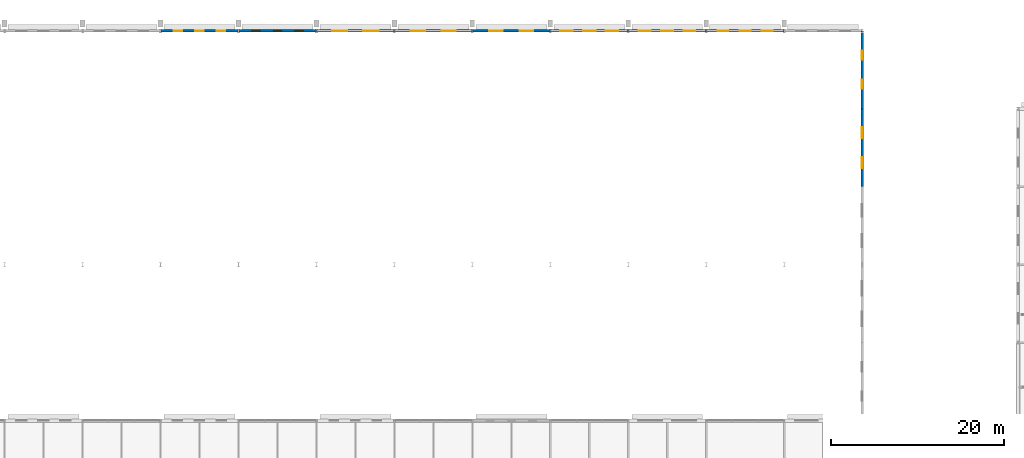
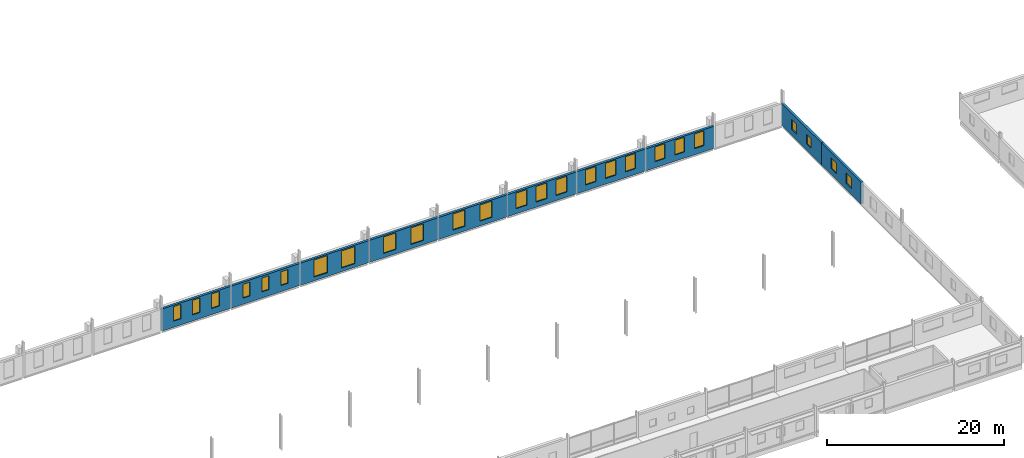
# One storey, part 116 of 132: 25 windows, 10 walls, 25 openings.
"""IFC4 building model written with IfcOpenShell, lengths in metres."""

from ifc_helpers import new_model, si_unit, direction, frame, frame_2d, origin, place, context, subcontext, project, spatial, rectangle, extrude, material, layer, layer_set, type_object, element, fill, save


model = new_model("IFC4")

# Units and contexts
model_context = context("Model", 3, precision=1e-05, world=origin(), true_north=direction((0.0, 1.0)))
body_context = subcontext(model_context, "Body", "Model", "MODEL_VIEW")
ifc_project = project(units=[si_unit("LENGTHUNIT", "METRE"), si_unit("AREAUNIT", "SQUARE_METRE"), si_unit("VOLUMEUNIT", "CUBIC_METRE"), si_unit("PLANEANGLEUNIT", "RADIAN"), si_unit("MASSUNIT", "GRAM", prefix="KILO")], contexts=[model_context])

# Site, building, storey
site_placement = place(None, origin())
site = spatial("IfcSite", under=ifc_project, at=site_placement, CompositionType="ELEMENT")
building_placement = place(site_placement, origin())
building = spatial("IfcBuilding", under=site, at=building_placement, Name="Tharagai Park Tramway Depot", CompositionType="ELEMENT")
storey_placement = place(building_placement, frame((0.0, 0.0, 4.800048828125)))
storey = spatial("IfcBuildingStorey", under=building, at=storey_placement, Name="L01", CompositionType="ELEMENT", Elevation=4.800048828125)

# Wall, openings, windows
ifc_material_1 = material(Name="Pressed clay brick", Category="masonry")
ifc_layer = layer(ifc_material_1, 0.300048828125)
ifc_layer_set = layer_set([ifc_layer], Name="Pressed clay brick")
wall_type = type_object("IfcWallType", Name="EW-08", PredefinedType="SOLIDWALL", material=ifc_layer_set)
wall_1_placement = place(storey_placement, frame((63.00390625, 144.0, 0.0), z_axis=(0.0, 0.0, 1.0), x_axis=(1.0, 0.0, 0.0)))
wall_1 = element("IfcWall", 1, at=wall_1_placement, inside=storey, type_object=wall_type, Name="L01 V1 Exterior Masonry Wall EW-08", PredefinedType="SOLIDWALL", context=body_context, shape_type="SweptSolid", body=[
    extrude(rectangle(XDim=8.9921875, YDim=0.300048828125, at=frame_2d((4.49609375, 0.0))), origin(), (0.0, 0.0, 1.0), 3.0419921875),
])
opening_1_placement = place(wall_1_placement, frame((1.498046875, 0.0, 0.85009765625)))
opening_1 = element("IfcOpeningElement", 2, at=opening_1_placement, cuts=wall_1, Name="Opening WN-04", PredefinedType="OPENING", context=body_context, shape_type="SweptSolid", body=[
    extrude(rectangle(XDim=1.0, YDim=2.0, at=frame_2d((0.5, 1.0))), frame((0.0, 0.159912109375, 0.0), z_axis=(0.0, -1.0, 0.0), x_axis=(1.0, 0.0, 0.0)), (0.0, 0.0, 1.0), 0.320068359375),
])
opening_2_placement = place(wall_1_placement, frame((3.99609375, 0.0, 0.85009765625)))
opening_2 = element("IfcOpeningElement", 3, at=opening_2_placement, cuts=wall_1, Name="Opening WN-04", PredefinedType="OPENING", context=body_context, shape_type="SweptSolid", body=[
    extrude(rectangle(XDim=1.0, YDim=2.0, at=frame_2d((0.5, 1.0))), frame((0.0, 0.159912109375, 0.0), z_axis=(0.0, -1.0, 0.0), x_axis=(1.0, 0.0, 0.0)), (0.0, 0.0, 1.0), 0.320068359375),
])
opening_3_placement = place(wall_1_placement, frame((6.493896484375, 0.0, 0.85009765625)))
opening_3 = element("IfcOpeningElement", 4, at=opening_3_placement, cuts=wall_1, Name="Opening WN-04", PredefinedType="OPENING", context=body_context, shape_type="SweptSolid", body=[
    extrude(rectangle(XDim=1.0, YDim=2.0, at=frame_2d((0.5, 1.0))), frame((0.0, 0.159912109375, 0.0), z_axis=(0.0, -1.0, 0.0), x_axis=(1.0, 0.0, 0.0)), (0.0, 0.0, 1.0), 0.320068359375),
])
ifc_material_2 = material(Name="Laminated solar-control glass", Category="glass")
window_type_1 = type_object("IfcWindowType", Name="WN-04", PartitioningType="SINGLE_PANEL", PredefinedType="WINDOW", material=ifc_material_2)
window_1_placement = place(opening_1_placement, origin())
window_1 = element("IfcWindow", 5, at=window_1_placement, inside=storey, type_object=window_type_1, Name="L01 V1 Gothic Lancet Window WN-04", OverallHeight=2.0, OverallWidth=1.0, PartitioningType="SINGLE_PANEL", PredefinedType="WINDOW", context=body_context, shape_type="SweptSolid", body=[
    extrude(rectangle(XDim=1.0, YDim=2.0, at=frame_2d((0.5, 1.0))), frame((0.0, 0.030029296875, 0.0), z_axis=(0.0, -1.0, 0.0), x_axis=(1.0, 0.0, 0.0)), (0.0, 0.0, 1.0), 0.06005859375),
])
fill(opening_1, window_1)
window_2_placement = place(opening_2_placement, origin())
window_2 = element("IfcWindow", 6, at=window_2_placement, inside=storey, type_object=window_type_1, Name="L01 V1 Gothic Lancet Window WN-04", OverallHeight=2.0, OverallWidth=1.0, PartitioningType="SINGLE_PANEL", PredefinedType="WINDOW", context=body_context, shape_type="SweptSolid", body=[
    extrude(rectangle(XDim=1.0, YDim=2.0, at=frame_2d((0.5, 1.0))), frame((0.0, 0.030029296875, 0.0), z_axis=(0.0, -1.0, 0.0), x_axis=(1.0, 0.0, 0.0)), (0.0, 0.0, 1.0), 0.06005859375),
])
fill(opening_2, window_2)
window_3_placement = place(opening_3_placement, origin())
window_3 = element("IfcWindow", 7, at=window_3_placement, inside=storey, type_object=window_type_1, Name="L01 V1 Gothic Lancet Window WN-04", OverallHeight=2.0, OverallWidth=1.0, PartitioningType="SINGLE_PANEL", PredefinedType="WINDOW", context=body_context, shape_type="SweptSolid", body=[
    extrude(rectangle(XDim=1.0, YDim=2.0, at=frame_2d((0.5, 1.0))), frame((0.0, 0.030029296875, 0.0), z_axis=(0.0, -1.0, 0.0), x_axis=(1.0, 0.0, 0.0)), (0.0, 0.0, 1.0), 0.06005859375),
])
fill(opening_3, window_3)

wall_2_placement = place(storey_placement, frame((72.00390625, 144.0, 0.0), z_axis=(0.0, 0.0, 1.0), x_axis=(1.0, 0.0, 0.0)))
wall_2 = element("IfcWall", 8, at=wall_2_placement, inside=storey, type_object=wall_type, Name="L01 V1 Exterior Masonry Wall EW-08", PredefinedType="SOLIDWALL", context=body_context, shape_type="SweptSolid", body=[
    extrude(rectangle(XDim=8.9921875, YDim=0.300048828125, at=frame_2d((4.49609375, 0.0))), origin(), (0.0, 0.0, 1.0), 3.0419921875),
])
opening_4_placement = place(wall_2_placement, frame((1.572998046875, 0.0, 0.85009765625)))
opening_4 = element("IfcOpeningElement", 9, at=opening_4_placement, cuts=wall_2, Name="Opening WN-08", PredefinedType="OPENING", context=body_context, shape_type="SweptSolid", body=[
    extrude(rectangle(XDim=0.89990234375, YDim=1.89990234375, at=frame_2d((0.449951171875, 0.949951171875))), frame((0.0, 0.159912109375, 0.0), z_axis=(0.0, -1.0, 0.0), x_axis=(1.0, 0.0, 0.0)), (0.0, 0.0, 1.0), 0.320068359375),
])
opening_5_placement = place(wall_2_placement, frame((4.0458984375, 0.0, 0.85009765625)))
opening_5 = element("IfcOpeningElement", 10, at=opening_5_placement, cuts=wall_2, Name="Opening WN-08", PredefinedType="OPENING", context=body_context, shape_type="SweptSolid", body=[
    extrude(rectangle(XDim=0.89990234375, YDim=1.89990234375, at=frame_2d((0.449951171875, 0.949951171875))), frame((0.0, 0.159912109375, 0.0), z_axis=(0.0, -1.0, 0.0), x_axis=(1.0, 0.0, 0.0)), (0.0, 0.0, 1.0), 0.320068359375),
])
opening_6_placement = place(wall_2_placement, frame((6.51904296875, 0.0, 0.85009765625)))
opening_6 = element("IfcOpeningElement", 11, at=opening_6_placement, cuts=wall_2, Name="Opening WN-08", PredefinedType="OPENING", context=body_context, shape_type="SweptSolid", body=[
    extrude(rectangle(XDim=0.89990234375, YDim=1.89990234375, at=frame_2d((0.449951171875, 0.949951171875))), frame((0.0, 0.159912109375, 0.0), z_axis=(0.0, -1.0, 0.0), x_axis=(1.0, 0.0, 0.0)), (0.0, 0.0, 1.0), 0.320068359375),
])
window_type_2 = type_object("IfcWindowType", Name="WN-08", PartitioningType="SINGLE_PANEL", PredefinedType="WINDOW", material=ifc_material_2)
window_4_placement = place(opening_4_placement, origin())
window_4 = element("IfcWindow", 12, at=window_4_placement, inside=storey, type_object=window_type_2, Name="L01 V1 Gothic Lancet Window WN-08", OverallHeight=1.89990234375, OverallWidth=0.89990234375, PartitioningType="SINGLE_PANEL", PredefinedType="WINDOW", context=body_context, shape_type="SweptSolid", body=[
    extrude(rectangle(XDim=0.89990234375, YDim=1.89990234375, at=frame_2d((0.449951171875, 0.949951171875))), frame((0.0, 0.030029296875, 0.0), z_axis=(0.0, -1.0, 0.0), x_axis=(1.0, 0.0, 0.0)), (0.0, 0.0, 1.0), 0.06005859375),
])
fill(opening_4, window_4)
window_5_placement = place(opening_5_placement, origin())
window_5 = element("IfcWindow", 13, at=window_5_placement, inside=storey, type_object=window_type_2, Name="L01 V1 Gothic Lancet Window WN-08", OverallHeight=1.89990234375, OverallWidth=0.89990234375, PartitioningType="SINGLE_PANEL", PredefinedType="WINDOW", context=body_context, shape_type="SweptSolid", body=[
    extrude(rectangle(XDim=0.89990234375, YDim=1.89990234375, at=frame_2d((0.449951171875, 0.949951171875))), frame((0.0, 0.030029296875, 0.0), z_axis=(0.0, -1.0, 0.0), x_axis=(1.0, 0.0, 0.0)), (0.0, 0.0, 1.0), 0.06005859375),
])
fill(opening_5, window_5)
window_6_placement = place(opening_6_placement, origin())
window_6 = element("IfcWindow", 14, at=window_6_placement, inside=storey, type_object=window_type_2, Name="L01 V1 Gothic Lancet Window WN-08", OverallHeight=1.89990234375, OverallWidth=0.89990234375, PartitioningType="SINGLE_PANEL", PredefinedType="WINDOW", context=body_context, shape_type="SweptSolid", body=[
    extrude(rectangle(XDim=0.89990234375, YDim=1.89990234375, at=frame_2d((0.449951171875, 0.949951171875))), frame((0.0, 0.030029296875, 0.0), z_axis=(0.0, -1.0, 0.0), x_axis=(1.0, 0.0, 0.0)), (0.0, 0.0, 1.0), 0.06005859375),
])
fill(opening_6, window_6)

wall_3_placement = place(storey_placement, frame((81.00390625, 144.0, 0.0), z_axis=(0.0, 0.0, 1.0), x_axis=(1.0, 0.0, 0.0)))
wall_3 = element("IfcWall", 15, at=wall_3_placement, inside=storey, type_object=wall_type, Name="L01 V1 Exterior Masonry Wall EW-08", PredefinedType="SOLIDWALL", context=body_context, shape_type="SweptSolid", body=[
    extrude(rectangle(XDim=8.9921875, YDim=0.300048828125, at=frame_2d((4.49609375, 0.0))), origin(), (0.0, 0.0, 1.0), 3.0419921875),
])
opening_7_placement = place(wall_3_placement, frame((1.8310546875, 0.0, 0.510009765625)))
opening_7 = element("IfcOpeningElement", 16, at=opening_7_placement, cuts=wall_3, Name="Opening WN-23", PredefinedType="OPENING", context=body_context, shape_type="SweptSolid", body=[
    extrude(rectangle(XDim=1.75, YDim=2.35009765625, at=frame_2d((0.875, 1.175048828125))), frame((0.0, 0.159912109375, 0.0), z_axis=(0.0, -1.0, 0.0), x_axis=(1.0, 0.0, 0.0)), (0.0, 0.0, 1.0), 0.320068359375),
])
opening_8_placement = place(wall_3_placement, frame((5.410888671875, 0.0, 0.510009765625)))
opening_8 = element("IfcOpeningElement", 17, at=opening_8_placement, cuts=wall_3, Name="Opening WN-23", PredefinedType="OPENING", context=body_context, shape_type="SweptSolid", body=[
    extrude(rectangle(XDim=1.75, YDim=2.35009765625, at=frame_2d((0.875, 1.175048828125))), frame((0.0, 0.159912109375, 0.0), z_axis=(0.0, -1.0, 0.0), x_axis=(1.0, 0.0, 0.0)), (0.0, 0.0, 1.0), 0.320068359375),
])
window_type_3 = type_object("IfcWindowType", Name="WN-23", PartitioningType="SINGLE_PANEL", PredefinedType="WINDOW", material=ifc_material_2)
window_7_placement = place(opening_7_placement, origin())
window_7 = element("IfcWindow", 18, at=window_7_placement, inside=storey, type_object=window_type_3, Name="L01 V1 Gothic Lancet Window WN-23", OverallHeight=2.35009765625, OverallWidth=1.75, PartitioningType="SINGLE_PANEL", PredefinedType="WINDOW", context=body_context, shape_type="SweptSolid", body=[
    extrude(rectangle(XDim=1.75, YDim=2.35009765625, at=frame_2d((0.875, 1.175048828125))), frame((0.0, 0.030029296875, 0.0), z_axis=(0.0, -1.0, 0.0), x_axis=(1.0, 0.0, 0.0)), (0.0, 0.0, 1.0), 0.06005859375),
])
fill(opening_7, window_7)
window_8_placement = place(opening_8_placement, origin())
window_8 = element("IfcWindow", 19, at=window_8_placement, inside=storey, type_object=window_type_3, Name="L01 V1 Gothic Lancet Window WN-23", OverallHeight=2.35009765625, OverallWidth=1.75, PartitioningType="SINGLE_PANEL", PredefinedType="WINDOW", context=body_context, shape_type="SweptSolid", body=[
    extrude(rectangle(XDim=1.75, YDim=2.35009765625, at=frame_2d((0.875, 1.175048828125))), frame((0.0, 0.030029296875, 0.0), z_axis=(0.0, -1.0, 0.0), x_axis=(1.0, 0.0, 0.0)), (0.0, 0.0, 1.0), 0.06005859375),
])
fill(opening_8, window_8)

wall_4_placement = place(storey_placement, frame((90.00390625, 144.0, 0.0), z_axis=(0.0, 0.0, 1.0), x_axis=(1.0, 0.0, 0.0)))
wall_4 = element("IfcWall", 20, at=wall_4_placement, inside=storey, type_object=wall_type, Name="L01 V1 Exterior Masonry Wall EW-08", PredefinedType="SOLIDWALL", context=body_context, shape_type="SweptSolid", body=[
    extrude(rectangle(XDim=8.9921875, YDim=0.300048828125, at=frame_2d((4.49609375, 0.0))), origin(), (0.0, 0.0, 1.0), 3.0419921875),
])
opening_9_placement = place(wall_4_placement, frame((1.89697265625, 0.0, 0.580078125)))
opening_9 = element("IfcOpeningElement", 21, at=opening_9_placement, cuts=wall_4, Name="Opening WN-11", PredefinedType="OPENING", context=body_context, shape_type="SweptSolid", body=[
    extrude(rectangle(XDim=1.64990234375, YDim=2.280029296875, at=frame_2d((0.824951171875, 1.14013671875))), frame((0.0, 0.159912109375, 0.0), z_axis=(0.0, -1.0, 0.0), x_axis=(1.0, 0.0, 0.0)), (0.0, 0.0, 1.0), 0.320068359375),
])
opening_10_placement = place(wall_4_placement, frame((5.445068359375, 0.0, 0.580078125)))
opening_10 = element("IfcOpeningElement", 22, at=opening_10_placement, cuts=wall_4, Name="Opening WN-11", PredefinedType="OPENING", context=body_context, shape_type="SweptSolid", body=[
    extrude(rectangle(XDim=1.64990234375, YDim=2.280029296875, at=frame_2d((0.824951171875, 1.14013671875))), frame((0.0, 0.159912109375, 0.0), z_axis=(0.0, -1.0, 0.0), x_axis=(1.0, 0.0, 0.0)), (0.0, 0.0, 1.0), 0.320068359375),
])
window_type_4 = type_object("IfcWindowType", Name="WN-11", PartitioningType="SINGLE_PANEL", PredefinedType="WINDOW", material=ifc_material_2)
window_9_placement = place(opening_9_placement, origin())
window_9 = element("IfcWindow", 23, at=window_9_placement, inside=storey, type_object=window_type_4, Name="L01 V1 Gothic Lancet Window WN-11", OverallHeight=2.280029296875, OverallWidth=1.64990234375, PartitioningType="SINGLE_PANEL", PredefinedType="WINDOW", context=body_context, shape_type="SweptSolid", body=[
    extrude(rectangle(XDim=1.64990234375, YDim=2.280029296875, at=frame_2d((0.824951171875, 1.14013671875))), frame((0.0, 0.030029296875, 0.0), z_axis=(0.0, -1.0, 0.0), x_axis=(1.0, 0.0, 0.0)), (0.0, 0.0, 1.0), 0.06005859375),
])
fill(opening_9, window_9)
window_10_placement = place(opening_10_placement, origin())
window_10 = element("IfcWindow", 24, at=window_10_placement, inside=storey, type_object=window_type_4, Name="L01 V1 Gothic Lancet Window WN-11", OverallHeight=2.280029296875, OverallWidth=1.64990234375, PartitioningType="SINGLE_PANEL", PredefinedType="WINDOW", context=body_context, shape_type="SweptSolid", body=[
    extrude(rectangle(XDim=1.64990234375, YDim=2.280029296875, at=frame_2d((0.824951171875, 1.14013671875))), frame((0.0, 0.030029296875, 0.0), z_axis=(0.0, -1.0, 0.0), x_axis=(1.0, 0.0, 0.0)), (0.0, 0.0, 1.0), 0.06005859375),
])
fill(opening_10, window_10)

wall_5_placement = place(storey_placement, frame((99.00390625, 144.0, 0.0), z_axis=(0.0, 0.0, 1.0), x_axis=(1.0, 0.0, 0.0)))
wall_5 = element("IfcWall", 25, at=wall_5_placement, inside=storey, type_object=wall_type, Name="L01 V1 Exterior Masonry Wall EW-08", PredefinedType="SOLIDWALL", context=body_context, shape_type="SweptSolid", body=[
    extrude(rectangle(XDim=8.9921875, YDim=0.300048828125, at=frame_2d((4.49609375, 0.0))), origin(), (0.0, 0.0, 1.0), 3.0419921875),
])
opening_11_placement = place(wall_5_placement, frame((1.964111328125, 0.0, 0.639892578125)))
opening_11 = element("IfcOpeningElement", 26, at=opening_11_placement, cuts=wall_5, Name="Opening WN-17", PredefinedType="OPENING", context=body_context, shape_type="SweptSolid", body=[
    extrude(rectangle(XDim=1.550048828125, YDim=2.219970703125, at=frame_2d((0.77490234375, 1.10986328125))), frame((0.0, 0.159912109375, 0.0), z_axis=(0.0, -1.0, 0.0), x_axis=(1.0, 0.0, 0.0)), (0.0, 0.0, 1.0), 0.320068359375),
])
opening_12_placement = place(wall_5_placement, frame((5.47802734375, 0.0, 0.639892578125)))
opening_12 = element("IfcOpeningElement", 27, at=opening_12_placement, cuts=wall_5, Name="Opening WN-17", PredefinedType="OPENING", context=body_context, shape_type="SweptSolid", body=[
    extrude(rectangle(XDim=1.550048828125, YDim=2.219970703125, at=frame_2d((0.77490234375, 1.10986328125))), frame((0.0, 0.159912109375, 0.0), z_axis=(0.0, -1.0, 0.0), x_axis=(1.0, 0.0, 0.0)), (0.0, 0.0, 1.0), 0.320068359375),
])
window_type_5 = type_object("IfcWindowType", Name="WN-17", PartitioningType="SINGLE_PANEL", PredefinedType="WINDOW", material=ifc_material_2)
window_11_placement = place(opening_11_placement, origin())
window_11 = element("IfcWindow", 28, at=window_11_placement, inside=storey, type_object=window_type_5, Name="L01 V1 Gothic Lancet Window WN-17", OverallHeight=2.219970703125, OverallWidth=1.550048828125, PartitioningType="SINGLE_PANEL", PredefinedType="WINDOW", context=body_context, shape_type="SweptSolid", body=[
    extrude(rectangle(XDim=1.550048828125, YDim=2.219970703125, at=frame_2d((0.77490234375, 1.10986328125))), frame((0.0, 0.030029296875, 0.0), z_axis=(0.0, -1.0, 0.0), x_axis=(1.0, 0.0, 0.0)), (0.0, 0.0, 1.0), 0.06005859375),
])
fill(opening_11, window_11)
window_12_placement = place(opening_12_placement, origin())
window_12 = element("IfcWindow", 29, at=window_12_placement, inside=storey, type_object=window_type_5, Name="L01 V1 Gothic Lancet Window WN-17", OverallHeight=2.219970703125, OverallWidth=1.550048828125, PartitioningType="SINGLE_PANEL", PredefinedType="WINDOW", context=body_context, shape_type="SweptSolid", body=[
    extrude(rectangle(XDim=1.550048828125, YDim=2.219970703125, at=frame_2d((0.77490234375, 1.10986328125))), frame((0.0, 0.030029296875, 0.0), z_axis=(0.0, -1.0, 0.0), x_axis=(1.0, 0.0, 0.0)), (0.0, 0.0, 1.0), 0.06005859375),
])
fill(opening_12, window_12)

wall_6_placement = place(storey_placement, frame((108.00390625, 144.0, 0.0), z_axis=(0.0, 0.0, 1.0), x_axis=(1.0, 0.0, 0.0)))
wall_6 = element("IfcWall", 30, at=wall_6_placement, inside=storey, type_object=wall_type, Name="L01 V1 Exterior Masonry Wall EW-08", PredefinedType="SOLIDWALL", context=body_context, shape_type="SweptSolid", body=[
    extrude(rectangle(XDim=8.9921875, YDim=0.300048828125, at=frame_2d((4.49609375, 0.0))), origin(), (0.0, 0.0, 1.0), 3.0419921875),
])
opening_13_placement = place(wall_6_placement, frame((1.159912109375, 0.0, 0.7099609375)))
opening_13 = element("IfcOpeningElement", 31, at=opening_13_placement, cuts=wall_6, Name="Opening WN-37", PredefinedType="OPENING", context=body_context, shape_type="SweptSolid", body=[
    extrude(rectangle(XDim=1.449951171875, YDim=2.14990234375, at=frame_2d((0.72509765625, 1.074951171875))), frame((0.0, 0.159912109375, 0.0), z_axis=(0.0, -1.0, 0.0), x_axis=(1.0, 0.0, 0.0)), (0.0, 0.0, 1.0), 0.320068359375),
])
opening_14_placement = place(wall_6_placement, frame((3.77099609375, 0.0, 0.7099609375)))
opening_14 = element("IfcOpeningElement", 32, at=opening_14_placement, cuts=wall_6, Name="Opening WN-37", PredefinedType="OPENING", context=body_context, shape_type="SweptSolid", body=[
    extrude(rectangle(XDim=1.449951171875, YDim=2.14990234375, at=frame_2d((0.72509765625, 1.074951171875))), frame((0.0, 0.159912109375, 0.0), z_axis=(0.0, -1.0, 0.0), x_axis=(1.0, 0.0, 0.0)), (0.0, 0.0, 1.0), 0.320068359375),
])
opening_15_placement = place(wall_6_placement, frame((6.381103515625, 0.0, 0.7099609375)))
opening_15 = element("IfcOpeningElement", 33, at=opening_15_placement, cuts=wall_6, Name="Opening WN-37", PredefinedType="OPENING", context=body_context, shape_type="SweptSolid", body=[
    extrude(rectangle(XDim=1.449951171875, YDim=2.14990234375, at=frame_2d((0.72509765625, 1.074951171875))), frame((0.0, 0.159912109375, 0.0), z_axis=(0.0, -1.0, 0.0), x_axis=(1.0, 0.0, 0.0)), (0.0, 0.0, 1.0), 0.320068359375),
])
window_type_6 = type_object("IfcWindowType", Name="WN-37", PartitioningType="SINGLE_PANEL", PredefinedType="WINDOW", material=ifc_material_2)
window_13_placement = place(opening_13_placement, origin())
window_13 = element("IfcWindow", 34, at=window_13_placement, inside=storey, type_object=window_type_6, Name="L01 V1 Gothic Lancet Window WN-37", OverallHeight=2.14990234375, OverallWidth=1.449951171875, PartitioningType="SINGLE_PANEL", PredefinedType="WINDOW", context=body_context, shape_type="SweptSolid", body=[
    extrude(rectangle(XDim=1.449951171875, YDim=2.14990234375, at=frame_2d((0.72509765625, 1.074951171875))), frame((0.0, 0.030029296875, 0.0), z_axis=(0.0, -1.0, 0.0), x_axis=(1.0, 0.0, 0.0)), (0.0, 0.0, 1.0), 0.06005859375),
])
fill(opening_13, window_13)
window_14_placement = place(opening_14_placement, origin())
window_14 = element("IfcWindow", 35, at=window_14_placement, inside=storey, type_object=window_type_6, Name="L01 V1 Gothic Lancet Window WN-37", OverallHeight=2.14990234375, OverallWidth=1.449951171875, PartitioningType="SINGLE_PANEL", PredefinedType="WINDOW", context=body_context, shape_type="SweptSolid", body=[
    extrude(rectangle(XDim=1.449951171875, YDim=2.14990234375, at=frame_2d((0.72509765625, 1.074951171875))), frame((0.0, 0.030029296875, 0.0), z_axis=(0.0, -1.0, 0.0), x_axis=(1.0, 0.0, 0.0)), (0.0, 0.0, 1.0), 0.06005859375),
])
fill(opening_14, window_14)
window_15_placement = place(opening_15_placement, origin())
window_15 = element("IfcWindow", 36, at=window_15_placement, inside=storey, type_object=window_type_6, Name="L01 V1 Gothic Lancet Window WN-37", OverallHeight=2.14990234375, OverallWidth=1.449951171875, PartitioningType="SINGLE_PANEL", PredefinedType="WINDOW", context=body_context, shape_type="SweptSolid", body=[
    extrude(rectangle(XDim=1.449951171875, YDim=2.14990234375, at=frame_2d((0.72509765625, 1.074951171875))), frame((0.0, 0.030029296875, 0.0), z_axis=(0.0, -1.0, 0.0), x_axis=(1.0, 0.0, 0.0)), (0.0, 0.0, 1.0), 0.06005859375),
])
fill(opening_15, window_15)

wall_7_placement = place(storey_placement, frame((117.00390625, 144.0, 0.0), z_axis=(0.0, 0.0, 1.0), x_axis=(1.0, 0.0, 0.0)))
wall_7 = element("IfcWall", 37, at=wall_7_placement, inside=storey, type_object=wall_type, Name="L01 V1 Exterior Masonry Wall EW-08", PredefinedType="SOLIDWALL", context=body_context, shape_type="SweptSolid", body=[
    extrude(rectangle(XDim=8.9921875, YDim=0.300048828125, at=frame_2d((4.49609375, 0.0))), origin(), (0.0, 0.0, 1.0), 3.0419921875),
])
opening_16_placement = place(wall_7_placement, frame((1.235107421875, 0.0, 0.800048828125)))
opening_16 = element("IfcOpeningElement", 38, at=opening_16_placement, cuts=wall_7, Name="Opening WN-35", PredefinedType="OPENING", context=body_context, shape_type="SweptSolid", body=[
    extrude(rectangle(XDim=1.35009765625, YDim=2.080078125, at=frame_2d((0.675048828125, 1.0400390625))), frame((0.0, 0.159912109375, 0.0), z_axis=(0.0, -1.0, 0.0), x_axis=(1.0, 0.0, 0.0)), (0.0, 0.0, 1.0), 0.320068359375),
])
opening_17_placement = place(wall_7_placement, frame((3.821044921875, 0.0, 0.800048828125)))
opening_17 = element("IfcOpeningElement", 39, at=opening_17_placement, cuts=wall_7, Name="Opening WN-35", PredefinedType="OPENING", context=body_context, shape_type="SweptSolid", body=[
    extrude(rectangle(XDim=1.35009765625, YDim=2.080078125, at=frame_2d((0.675048828125, 1.0400390625))), frame((0.0, 0.159912109375, 0.0), z_axis=(0.0, -1.0, 0.0), x_axis=(1.0, 0.0, 0.0)), (0.0, 0.0, 1.0), 0.320068359375),
])
opening_18_placement = place(wall_7_placement, frame((6.406005859375, 0.0, 0.800048828125)))
opening_18 = element("IfcOpeningElement", 40, at=opening_18_placement, cuts=wall_7, Name="Opening WN-35", PredefinedType="OPENING", context=body_context, shape_type="SweptSolid", body=[
    extrude(rectangle(XDim=1.35009765625, YDim=2.080078125, at=frame_2d((0.675048828125, 1.0400390625))), frame((0.0, 0.159912109375, 0.0), z_axis=(0.0, -1.0, 0.0), x_axis=(1.0, 0.0, 0.0)), (0.0, 0.0, 1.0), 0.320068359375),
])
window_type_7 = type_object("IfcWindowType", Name="WN-35", PartitioningType="SINGLE_PANEL", PredefinedType="WINDOW", material=ifc_material_2)
window_16_placement = place(opening_16_placement, origin())
window_16 = element("IfcWindow", 41, at=window_16_placement, inside=storey, type_object=window_type_7, Name="L01 V1 Gothic Lancet Window WN-35", OverallHeight=2.080078125, OverallWidth=1.35009765625, PartitioningType="SINGLE_PANEL", PredefinedType="WINDOW", context=body_context, shape_type="SweptSolid", body=[
    extrude(rectangle(XDim=1.35009765625, YDim=2.080078125, at=frame_2d((0.675048828125, 1.0400390625))), frame((0.0, 0.030029296875, 0.0), z_axis=(0.0, -1.0, 0.0), x_axis=(1.0, 0.0, 0.0)), (0.0, 0.0, 1.0), 0.06005859375),
])
fill(opening_16, window_16)
window_17_placement = place(opening_17_placement, origin())
window_17 = element("IfcWindow", 42, at=window_17_placement, inside=storey, type_object=window_type_7, Name="L01 V1 Gothic Lancet Window WN-35", OverallHeight=2.080078125, OverallWidth=1.35009765625, PartitioningType="SINGLE_PANEL", PredefinedType="WINDOW", context=body_context, shape_type="SweptSolid", body=[
    extrude(rectangle(XDim=1.35009765625, YDim=2.080078125, at=frame_2d((0.675048828125, 1.0400390625))), frame((0.0, 0.030029296875, 0.0), z_axis=(0.0, -1.0, 0.0), x_axis=(1.0, 0.0, 0.0)), (0.0, 0.0, 1.0), 0.06005859375),
])
fill(opening_17, window_17)
window_18_placement = place(opening_18_placement, origin())
window_18 = element("IfcWindow", 43, at=window_18_placement, inside=storey, type_object=window_type_7, Name="L01 V1 Gothic Lancet Window WN-35", OverallHeight=2.080078125, OverallWidth=1.35009765625, PartitioningType="SINGLE_PANEL", PredefinedType="WINDOW", context=body_context, shape_type="SweptSolid", body=[
    extrude(rectangle(XDim=1.35009765625, YDim=2.080078125, at=frame_2d((0.675048828125, 1.0400390625))), frame((0.0, 0.030029296875, 0.0), z_axis=(0.0, -1.0, 0.0), x_axis=(1.0, 0.0, 0.0)), (0.0, 0.0, 1.0), 0.06005859375),
])
fill(opening_18, window_18)

wall_8_placement = place(storey_placement, frame((126.00390625, 144.0, 0.0), z_axis=(0.0, 0.0, 1.0), x_axis=(1.0, 0.0, 0.0)))
wall_8 = element("IfcWall", 44, at=wall_8_placement, inside=storey, type_object=wall_type, Name="L01 V1 Exterior Masonry Wall EW-08", PredefinedType="SOLIDWALL", context=body_context, shape_type="SweptSolid", body=[
    extrude(rectangle(XDim=8.9921875, YDim=0.300048828125, at=frame_2d((4.49609375, 0.0))), origin(), (0.0, 0.0, 1.0), 3.0419921875),
])
opening_19_placement = place(wall_8_placement, frame((1.31103515625, 0.0, 0.85009765625)))
opening_19 = element("IfcOpeningElement", 45, at=opening_19_placement, cuts=wall_8, Name="Opening WN-53", PredefinedType="OPENING", context=body_context, shape_type="SweptSolid", body=[
    extrude(rectangle(XDim=1.25, YDim=2.02001953125, at=frame_2d((0.625, 1.010009765625))), frame((0.0, 0.159912109375, 0.0), z_axis=(0.0, -1.0, 0.0), x_axis=(1.0, 0.0, 0.0)), (0.0, 0.0, 1.0), 0.320068359375),
])
opening_20_placement = place(wall_8_placement, frame((3.87109375, 0.0, 0.85009765625)))
opening_20 = element("IfcOpeningElement", 46, at=opening_20_placement, cuts=wall_8, Name="Opening WN-53", PredefinedType="OPENING", context=body_context, shape_type="SweptSolid", body=[
    extrude(rectangle(XDim=1.25, YDim=2.02001953125, at=frame_2d((0.625, 1.010009765625))), frame((0.0, 0.159912109375, 0.0), z_axis=(0.0, -1.0, 0.0), x_axis=(1.0, 0.0, 0.0)), (0.0, 0.0, 1.0), 0.320068359375),
])
opening_21_placement = place(wall_8_placement, frame((6.431884765625, 0.0, 0.85009765625)))
opening_21 = element("IfcOpeningElement", 47, at=opening_21_placement, cuts=wall_8, Name="Opening WN-53", PredefinedType="OPENING", context=body_context, shape_type="SweptSolid", body=[
    extrude(rectangle(XDim=1.25, YDim=2.02001953125, at=frame_2d((0.625, 1.010009765625))), frame((0.0, 0.159912109375, 0.0), z_axis=(0.0, -1.0, 0.0), x_axis=(1.0, 0.0, 0.0)), (0.0, 0.0, 1.0), 0.320068359375),
])
window_type_8 = type_object("IfcWindowType", Name="WN-53", PartitioningType="SINGLE_PANEL", PredefinedType="WINDOW", material=ifc_material_2)
window_19_placement = place(opening_19_placement, origin())
window_19 = element("IfcWindow", 48, at=window_19_placement, inside=storey, type_object=window_type_8, Name="L01 V1 Gothic Lancet Window WN-53", OverallHeight=2.02001953125, OverallWidth=1.25, PartitioningType="SINGLE_PANEL", PredefinedType="WINDOW", context=body_context, shape_type="SweptSolid", body=[
    extrude(rectangle(XDim=1.25, YDim=2.02001953125, at=frame_2d((0.625, 1.010009765625))), frame((0.0, 0.030029296875, 0.0), z_axis=(0.0, -1.0, 0.0), x_axis=(1.0, 0.0, 0.0)), (0.0, 0.0, 1.0), 0.06005859375),
])
fill(opening_19, window_19)
window_20_placement = place(opening_20_placement, origin())
window_20 = element("IfcWindow", 49, at=window_20_placement, inside=storey, type_object=window_type_8, Name="L01 V1 Gothic Lancet Window WN-53", OverallHeight=2.02001953125, OverallWidth=1.25, PartitioningType="SINGLE_PANEL", PredefinedType="WINDOW", context=body_context, shape_type="SweptSolid", body=[
    extrude(rectangle(XDim=1.25, YDim=2.02001953125, at=frame_2d((0.625, 1.010009765625))), frame((0.0, 0.030029296875, 0.0), z_axis=(0.0, -1.0, 0.0), x_axis=(1.0, 0.0, 0.0)), (0.0, 0.0, 1.0), 0.06005859375),
])
fill(opening_20, window_20)
window_21_placement = place(opening_21_placement, origin())
window_21 = element("IfcWindow", 50, at=window_21_placement, inside=storey, type_object=window_type_8, Name="L01 V1 Gothic Lancet Window WN-53", OverallHeight=2.02001953125, OverallWidth=1.25, PartitioningType="SINGLE_PANEL", PredefinedType="WINDOW", context=body_context, shape_type="SweptSolid", body=[
    extrude(rectangle(XDim=1.25, YDim=2.02001953125, at=frame_2d((0.625, 1.010009765625))), frame((0.0, 0.030029296875, 0.0), z_axis=(0.0, -1.0, 0.0), x_axis=(1.0, 0.0, 0.0)), (0.0, 0.0, 1.0), 0.06005859375),
])
fill(opening_21, window_21)

wall_9_placement = place(storey_placement, frame((144.0, 126.0, 0.0), z_axis=(0.0, 0.0, 1.0), x_axis=(0.0, 1.0, 0.0)))
wall_9 = element("IfcWall", 51, at=wall_9_placement, inside=storey, type_object=wall_type, Name="L01 V1 Exterior Masonry Wall EW-08", PredefinedType="SOLIDWALL", context=body_context, shape_type="SweptSolid", body=[
    extrude(rectangle(XDim=9.0, YDim=0.300048828125, at=frame_2d((4.5, 0.0))), origin(), (0.0, 0.0, 1.0), 3.0419921875),
])
opening_22_placement = place(wall_9_placement, frame((2.159912109375, 0.0, 0.85009765625)))
opening_22 = element("IfcOpeningElement", 52, at=opening_22_placement, cuts=wall_9, Name="Opening WN-09", PredefinedType="OPENING", context=body_context, shape_type="SweptSolid", body=[
    extrude(rectangle(XDim=1.260009765625, YDim=1.4599609375, at=frame_2d((0.6298828125, 0.72998046875))), frame((0.0, 0.159912109375, 0.0), z_axis=(0.0, -1.0, 0.0), x_axis=(1.0, 0.0, 0.0)), (0.0, 0.0, 1.0), 0.320068359375),
])
opening_23_placement = place(wall_9_placement, frame((5.580078125, 0.0, 0.85009765625)))
opening_23 = element("IfcOpeningElement", 53, at=opening_23_placement, cuts=wall_9, Name="Opening WN-09", PredefinedType="OPENING", context=body_context, shape_type="SweptSolid", body=[
    extrude(rectangle(XDim=1.260009765625, YDim=1.4599609375, at=frame_2d((0.6298828125, 0.72998046875))), frame((0.0, 0.159912109375, 0.0), z_axis=(0.0, -1.0, 0.0), x_axis=(1.0, 0.0, 0.0)), (0.0, 0.0, 1.0), 0.320068359375),
])
window_type_9 = type_object("IfcWindowType", Name="WN-09", PartitioningType="SINGLE_PANEL", PredefinedType="WINDOW", material=ifc_material_2)
window_22_placement = place(opening_22_placement, origin())
window_22 = element("IfcWindow", 54, at=window_22_placement, inside=storey, type_object=window_type_9, Name="L01 V1 Side Lancet Window WN-09", OverallHeight=1.4599609375, OverallWidth=1.260009765625, PartitioningType="SINGLE_PANEL", PredefinedType="WINDOW", context=body_context, shape_type="SweptSolid", body=[
    extrude(rectangle(XDim=1.260009765625, YDim=1.4599609375, at=frame_2d((0.6298828125, 0.72998046875))), frame((0.0, 0.030029296875, 0.0), z_axis=(0.0, -1.0, 0.0), x_axis=(1.0, 0.0, 0.0)), (0.0, 0.0, 1.0), 0.06005859375),
])
fill(opening_22, window_22)
window_23_placement = place(opening_23_placement, origin())
window_23 = element("IfcWindow", 55, at=window_23_placement, inside=storey, type_object=window_type_9, Name="L01 V1 Side Lancet Window WN-09", OverallHeight=1.4599609375, OverallWidth=1.260009765625, PartitioningType="SINGLE_PANEL", PredefinedType="WINDOW", context=body_context, shape_type="SweptSolid", body=[
    extrude(rectangle(XDim=1.260009765625, YDim=1.4599609375, at=frame_2d((0.6298828125, 0.72998046875))), frame((0.0, 0.030029296875, 0.0), z_axis=(0.0, -1.0, 0.0), x_axis=(1.0, 0.0, 0.0)), (0.0, 0.0, 1.0), 0.06005859375),
])
fill(opening_23, window_23)

wall_10_placement = place(storey_placement, frame((144.0, 135.0, 0.0), z_axis=(0.0, 0.0, 1.0), x_axis=(0.0, 1.0, 0.0)))
wall_10 = element("IfcWall", 56, at=wall_10_placement, inside=storey, type_object=wall_type, Name="L01 V1 Exterior Masonry Wall EW-08", PredefinedType="SOLIDWALL", context=body_context, shape_type="SweptSolid", body=[
    extrude(rectangle(XDim=8.99609375, YDim=0.300048828125, at=frame_2d((4.498046875, 0.0))), origin(), (0.0, 0.0, 1.0), 3.0419921875),
])
opening_24_placement = place(wall_10_placement, frame((2.2919921875, 0.0, 0.85009765625)))
opening_24 = element("IfcOpeningElement", 57, at=opening_24_placement, cuts=wall_10, Name="Opening WN-54", PredefinedType="OPENING", context=body_context, shape_type="SweptSolid", body=[
    extrude(rectangle(XDim=1.06005859375, YDim=1.35009765625, at=frame_2d((0.530029296875, 0.675048828125))), frame((0.0, 0.159912109375, 0.0), z_axis=(0.0, -1.0, 0.0), x_axis=(1.0, 0.0, 0.0)), (0.0, 0.0, 1.0), 0.320068359375),
])
opening_25_placement = place(wall_10_placement, frame((5.64404296875, 0.0, 0.85009765625)))
opening_25 = element("IfcOpeningElement", 58, at=opening_25_placement, cuts=wall_10, Name="Opening WN-54", PredefinedType="OPENING", context=body_context, shape_type="SweptSolid", body=[
    extrude(rectangle(XDim=1.06005859375, YDim=1.35009765625, at=frame_2d((0.530029296875, 0.675048828125))), frame((0.0, 0.159912109375, 0.0), z_axis=(0.0, -1.0, 0.0), x_axis=(1.0, 0.0, 0.0)), (0.0, 0.0, 1.0), 0.320068359375),
])
window_type_10 = type_object("IfcWindowType", Name="WN-54", PartitioningType="SINGLE_PANEL", PredefinedType="WINDOW", material=ifc_material_2)
window_24_placement = place(opening_24_placement, origin())
window_24 = element("IfcWindow", 59, at=window_24_placement, inside=storey, type_object=window_type_10, Name="L01 V1 Side Lancet Window WN-54", OverallHeight=1.35009765625, OverallWidth=1.06005859375, PartitioningType="SINGLE_PANEL", PredefinedType="WINDOW", context=body_context, shape_type="SweptSolid", body=[
    extrude(rectangle(XDim=1.06005859375, YDim=1.35009765625, at=frame_2d((0.530029296875, 0.675048828125))), frame((0.0, 0.030029296875, 0.0), z_axis=(0.0, -1.0, 0.0), x_axis=(1.0, 0.0, 0.0)), (0.0, 0.0, 1.0), 0.06005859375),
])
fill(opening_24, window_24)
window_25_placement = place(opening_25_placement, origin())
window_25 = element("IfcWindow", 60, at=window_25_placement, inside=storey, type_object=window_type_10, Name="L01 V1 Side Lancet Window WN-54", OverallHeight=1.35009765625, OverallWidth=1.06005859375, PartitioningType="SINGLE_PANEL", PredefinedType="WINDOW", context=body_context, shape_type="SweptSolid", body=[
    extrude(rectangle(XDim=1.06005859375, YDim=1.35009765625, at=frame_2d((0.530029296875, 0.675048828125))), frame((0.0, 0.030029296875, 0.0), z_axis=(0.0, -1.0, 0.0), x_axis=(1.0, 0.0, 0.0)), (0.0, 0.0, 1.0), 0.06005859375),
])
fill(opening_25, window_25)

save(model, "model.ifc")
